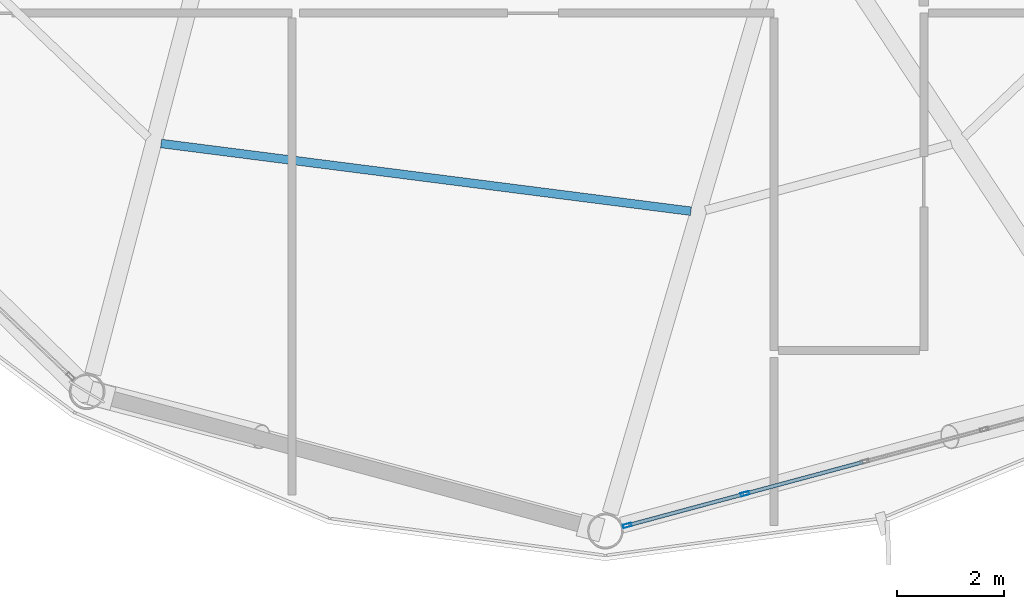
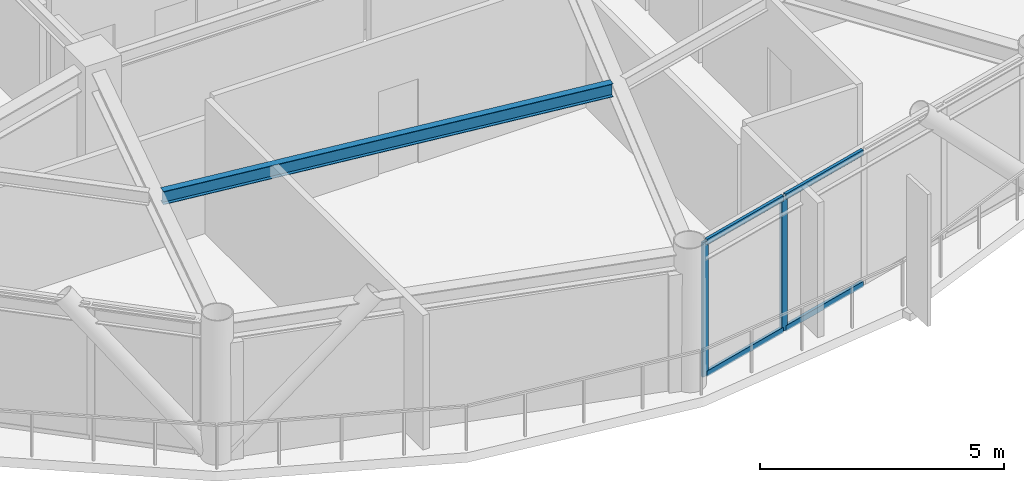
# One storey, part 7 of 28: 6 members, 1 beam, 1 element without a shape of its own.
"""IFC4 building model written with IfcOpenShell, lengths in metres."""

from ifc_helpers import new_model, si_unit, direction, frame, origin, origin_2d, place, context, subcontext, project, spatial, hollow_rectangle, i_section, extrude, material, layer, layer_set, material_profile, profile_set, type_object, element, aggregate, save


model = new_model("IFC4")

# Units and contexts
model_context = context("Model", 3, precision=1e-05, world=origin(), true_north=direction((0.0, 1.0)))
body_context = subcontext(model_context, "Body", "Model", "MODEL_VIEW")
ifc_project = project(units=[si_unit("LENGTHUNIT", "METRE"), si_unit("AREAUNIT", "SQUARE_METRE"), si_unit("VOLUMEUNIT", "CUBIC_METRE"), si_unit("PLANEANGLEUNIT", "RADIAN"), si_unit("MASSUNIT", "GRAM", prefix="KILO")], contexts=[model_context])

# Site, building, storey
site_placement = place(None, origin())
site = spatial("IfcSite", under=ifc_project, at=site_placement, CompositionType="ELEMENT")
building_placement = place(site_placement, origin())
building = spatial("IfcBuilding", under=site, at=building_placement, Name="Varnakorn Sky Granary", CompositionType="ELEMENT")
storey_placement = place(building_placement, frame((0.0, 0.0, 193.199951171875)))
storey = spatial("IfcBuildingStorey", under=building, at=storey_placement, Name="L48", CompositionType="ELEMENT", Elevation=193.199951171875)

# Beam
ifc_material_1 = material(Name="Steel S355JR", Category="steel")
ifc_material_profile_1 = material_profile(ifc_material_1, i_section(OverallWidth=0.159912109375, OverallDepth=0.330078125, WebThickness=0.007568359375, FlangeThickness=0.011474609375, at=origin_2d()), Name="IPE 330")
ifc_profile_set_1 = profile_set([ifc_material_profile_1], Name="Steel S355JR")
beam_type = type_object("IfcBeamType", Name="BM-SEC-Z4", PredefinedType="BEAM", material=ifc_profile_set_1)
beam_placement = place(storey_placement, frame((-3.44970703125, -11.333984375, 3.195068359375), z_axis=(0.991930413072, -0.126783499014, 0.0), x_axis=(0.126783499014, 0.991930413072, 0.0)))
element("IfcBeam", 1, at=beam_placement, inside=storey, type_object=beam_type, Name="Secondary Floor Chord Beam MSB09 L48", PredefinedType="BEAM", context=body_context, shape_type="SweptSolid", body=[
    extrude(i_section(OverallWidth=0.159912109375, OverallDepth=0.330078125, WebThickness=0.007568359375, FlangeThickness=0.011474609375, at=origin_2d()), origin(), (0.0, 0.0, 1.0), 9.978759765625),
])

# Curtain wall, members
ifc_material_2 = material(Name="Anodised Bronze Aluminium Alloy 6063-T6", Category="aluminium")
ifc_layer = layer(ifc_material_2, 0.169921875, Name="Anodised Bronze Aluminium Alloy 6063-T6")
ifc_layer_set = layer_set([ifc_layer], Name="Anodised Bronze Aluminium Alloy 6063-T6")
curtain_wall_type = type_object("IfcCurtainWallType", Name="CW-LAB-1", PredefinedType="USERDEFINED", material=ifc_layer_set)
curtain_wall_placement = place(storey_placement, origin())
curtain_wall = element("IfcCurtainWall", 2, at=curtain_wall_placement, inside=storey, type_object=curtain_wall_type, Name="Unitised Curtain Wall CW5 CW-L48-B10", ObjectType="CURTAIN WALL", PredefinedType="USERDEFINED")
ifc_material_profile_2 = material_profile(ifc_material_2, hollow_rectangle(XDim=0.06494140625, YDim=0.159912109375, WallThickness=0.00341796875, at=origin_2d()), Name="ALU MULL 65x160")
ifc_profile_set_2 = profile_set([ifc_material_profile_2], Name="Anodised Bronze Aluminium Alloy 6063-T6")
member_type_1 = type_object("IfcMemberType", Name="CW-LAB-1-MULL", PredefinedType="MULLION", material=ifc_profile_set_2)
member_1_placement = place(storey_placement, frame((7.460205078125, -17.878662109375, 0.0), z_axis=(0.0, 0.0, 1.0), x_axis=(0.259789749164, -0.965665204007, 0.0)))
member_1 = element("IfcMember", 3, at=member_1_placement, type_object=member_type_1, Name="CW5 mullion 4", PredefinedType="MULLION", context=body_context, shape_type="SweptSolid", body=[
    extrude(hollow_rectangle(XDim=0.06494140625, YDim=0.159912109375, WallThickness=0.00341796875, at=origin_2d()), origin(), (0.0, 0.0, 1.0), 3.360107421875),
])
member_2_placement = place(storey_placement, frame((5.258056640625, -18.47119140625, 0.0), z_axis=(0.0, 0.0, 1.0), x_axis=(0.259789749164, -0.965665204007, 0.0)))
member_2 = element("IfcMember", 4, at=member_2_placement, type_object=member_type_1, Name="CW5 mullion 5", PredefinedType="MULLION", context=body_context, shape_type="SweptSolid", body=[
    extrude(hollow_rectangle(XDim=0.06494140625, YDim=0.159912109375, WallThickness=0.00341796875, at=origin_2d()), origin(), (0.0, 0.0, 1.0), 3.360107421875),
])
ifc_material_profile_3 = material_profile(ifc_material_2, hollow_rectangle(XDim=0.070068359375, YDim=0.139892578125, WallThickness=0.00341796875, at=origin_2d()), Name="ALU TRAN 70x140")
ifc_profile_set_3 = profile_set([ifc_material_profile_3], Name="Anodised Bronze Aluminium Alloy 6063-T6")
member_type_2 = type_object("IfcMemberType", Name="CW-LAB-1-TRAN", PredefinedType="USERDEFINED", material=ifc_profile_set_3)
member_3_placement = place(storey_placement, frame((9.66259765625, -17.286376953125, 0.03515625), z_axis=(-0.96567026192, -0.259770947651, 0.0), x_axis=(0.259770947651, -0.96567026192, 0.0)))
member_3 = element("IfcMember", 5, at=member_3_placement, type_object=member_type_2, Name="CW5 transom 3.1", ObjectType="TRANSOM", PredefinedType="USERDEFINED", context=body_context, shape_type="SweptSolid", body=[
    extrude(hollow_rectangle(XDim=0.070068359375, YDim=0.139892578125, WallThickness=0.00341796875, at=origin_2d()), origin(), (0.0, 0.0, 1.0), 2.248046875),
])
member_4_placement = place(storey_placement, frame((9.66259765625, -17.286376953125, 3.324951171875), z_axis=(-0.96567026192, -0.259770947651, 0.0), x_axis=(0.259770947651, -0.96567026192, 0.0)))
member_4 = element("IfcMember", 6, at=member_4_placement, type_object=member_type_2, Name="CW5 transom 3.2", ObjectType="TRANSOM", PredefinedType="USERDEFINED", context=body_context, shape_type="SweptSolid", body=[
    extrude(hollow_rectangle(XDim=0.070068359375, YDim=0.139892578125, WallThickness=0.00341796875, at=origin_2d()), origin(), (0.0, 0.0, 1.0), 2.248046875),
])
member_5_placement = place(storey_placement, frame((7.428955078125, -17.88720703125, 0.03515625), z_axis=(-0.965658299658, -0.25981541198, 0.0), x_axis=(0.25981541198, -0.965658299658, 0.0)))
member_5 = element("IfcMember", 7, at=member_5_placement, type_object=member_type_2, Name="CW5 transom 4.1", ObjectType="TRANSOM", PredefinedType="USERDEFINED", context=body_context, shape_type="SweptSolid", body=[
    extrude(hollow_rectangle(XDim=0.070068359375, YDim=0.139892578125, WallThickness=0.00341796875, at=origin_2d()), origin(), (0.0, 0.0, 1.0), 2.2158203125),
])
member_6_placement = place(storey_placement, frame((7.428955078125, -17.88720703125, 3.324951171875), z_axis=(-0.965658299658, -0.25981541198, 0.0), x_axis=(0.25981541198, -0.965658299658, 0.0)))
member_6 = element("IfcMember", 8, at=member_6_placement, type_object=member_type_2, Name="CW5 transom 4.2", ObjectType="TRANSOM", PredefinedType="USERDEFINED", context=body_context, shape_type="SweptSolid", body=[
    extrude(hollow_rectangle(XDim=0.070068359375, YDim=0.139892578125, WallThickness=0.00341796875, at=origin_2d()), origin(), (0.0, 0.0, 1.0), 2.2158203125),
])
aggregate(curtain_wall, [member_1, member_2, member_3, member_4, member_5, member_6])

save(model, "model.ifc")
